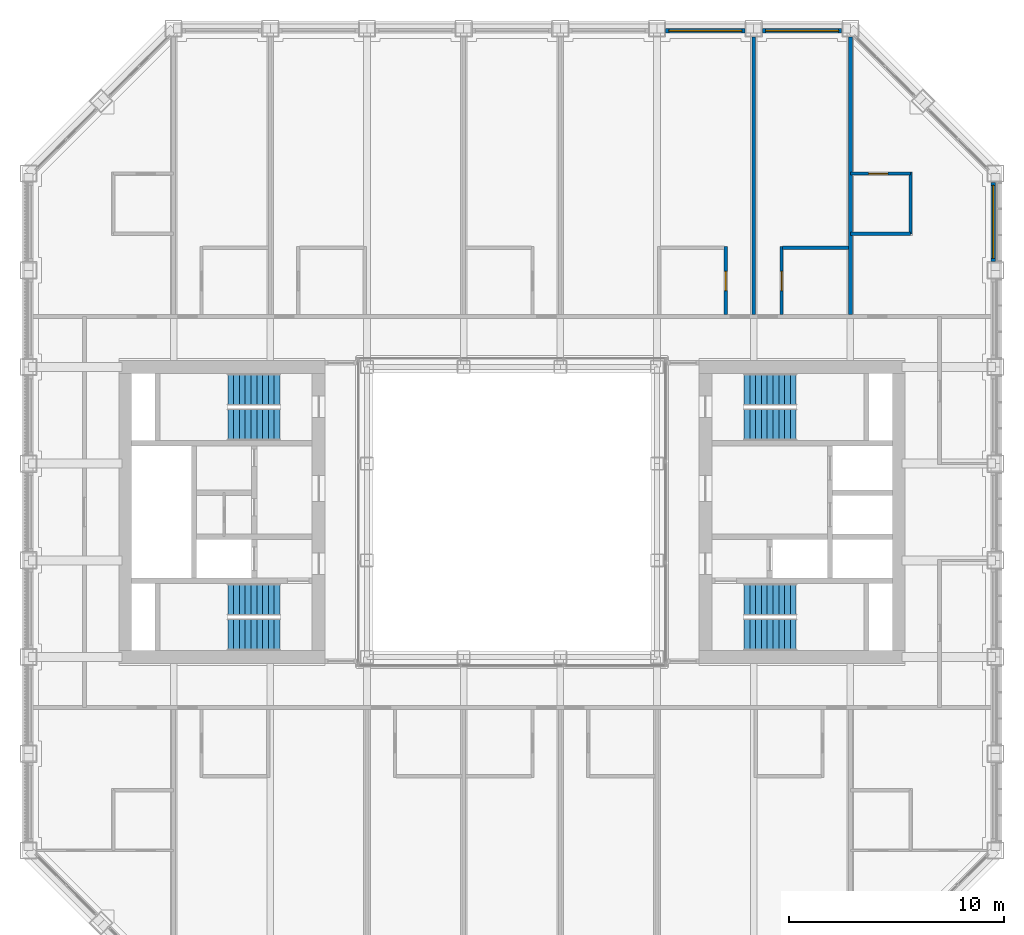
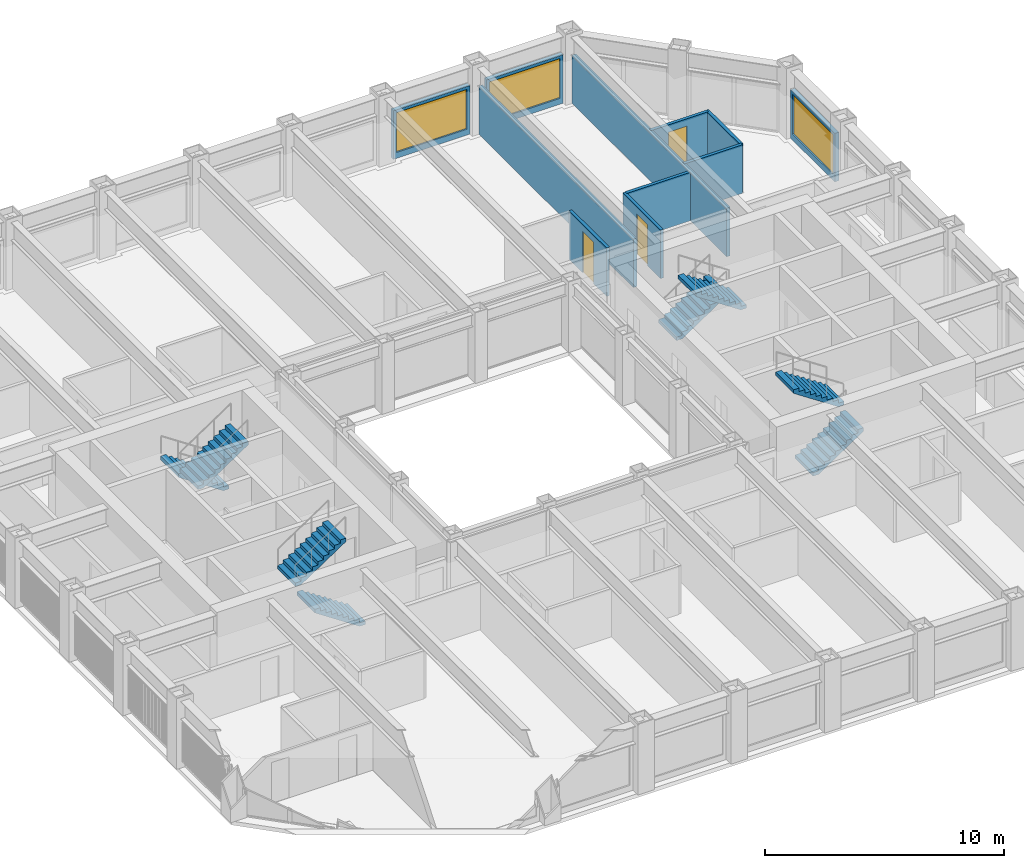
# One storey, part 14 of 17: 11 walls, 8 stair flights, 3 doors, 3 windows, 6 openings, 4 elements without a shape of their own.
"""IFC4 building model written with IfcOpenShell, lengths in metres."""

import ifcopenshell
import ifcopenshell.guid

model = None  # the IFC model being written
_history = None  # IfcOwnerHistory: only IFC2X3 demands one
_inside = {}  # id of a spatial element -> (the spatial element, [elements in it])
_under = {}  # id of a project, library or spatial element -> (it, [spatial elements below it])
_declared = {}  # id of a project -> (the project, [libraries it declares])
_typed = {}  # id of a type object -> (the type object, [elements of that type])
_made_of = {}  # id of a material, layer set ... -> (it, [elements and type objects made of it])


def new_model(schema):
    """Start an empty IFC model of exactly this schema.

    Asked for "IFC4X3", IfcOpenShell would pick the latest addendum, in which some entities
    have other attributes; the version numbers below select the first issue.
    IFC2X3 requires an IfcOwnerHistory on every rooted entity: one is made here for all.
    """
    global model, _history
    if schema == "IFC4X3":
        model = ifcopenshell.file(schema_version=(4, 3, 0, 0))
    else:
        model = ifcopenshell.file(schema=schema)
    _inside.clear()
    _under.clear()
    _declared.clear()
    _typed.clear()
    _made_of.clear()
    _history = None
    if model.schema == "IFC2X3":
        org = make("IfcOrganization", Name="unknown")
        user = make(
            "IfcPersonAndOrganization",
            ThePerson=make("IfcPerson", FamilyName="unknown"),
            TheOrganization=org,
        )
        app = make(
            "IfcApplication",
            ApplicationDeveloper=org,
            Version="unknown",
            ApplicationFullName="unknown",
            ApplicationIdentifier="unknown",
        )
        _history = make(
            "IfcOwnerHistory",
            OwningUser=user,
            OwningApplication=app,
            ChangeAction="ADDED",
            CreationDate=0,
        )
    return model


def make(cls, **values):
    """One entity of the class cls with the attributes given. An attribute that is None is left unset."""
    return model.create_entity(
        cls, **{name: value for name, value in values.items() if value is not None}
    )


def rooted(cls, **values):
    """An entity with a GlobalId (a new one), such as an element, a storey or a relation."""
    return make(cls, GlobalId=ifcopenshell.guid.new(), OwnerHistory=_history, **values)


def si_unit(unit_type, name, prefix=None):
    """IfcSIUnit, for example si_unit("LENGTHUNIT", "METRE", prefix="MILLI")."""
    return make("IfcSIUnit", UnitType=unit_type, Prefix=prefix, Name=name)


def assignment(units):
    """IfcUnitAssignment: the units of a project."""
    return None if units is None else make("IfcUnitAssignment", Units=units)


def point(xyz):
    """IfcCartesianPoint."""
    return None if xyz is None else make("IfcCartesianPoint", Coordinates=xyz)


def direction(xyz):
    """IfcDirection."""
    return None if xyz is None else make("IfcDirection", DirectionRatios=xyz)


def frame(location, z_axis=None, x_axis=None):
    """IfcAxis2Placement3D, a coordinate frame: its origin and axes. An axis left out is left unset."""
    return make(
        "IfcAxis2Placement3D",
        Location=point(location),
        Axis=direction(z_axis),
        RefDirection=direction(x_axis),
    )


def frame_2d(location, x_axis=None):
    """IfcAxis2Placement2D, a coordinate frame in the plane: its origin and x axis."""
    return make(
        "IfcAxis2Placement2D", Location=point(location), RefDirection=direction(x_axis)
    )


def origin():
    """The frame at (0, 0, 0) with its axes left unset."""
    return frame((0.0, 0.0, 0.0))


def place(relative_to, where):
    """IfcLocalPlacement: puts the frame where relative to a parent placement (None: the world)."""
    return make(
        "IfcLocalPlacement", PlacementRelTo=relative_to, RelativePlacement=where
    )


def context(
    kind, dimensions, precision=None, world=None, true_north=None, identifier=None
):
    """IfcGeometricRepresentationContext, for example the 3D "Model" context."""
    return make(
        "IfcGeometricRepresentationContext",
        ContextIdentifier=identifier,
        ContextType=kind,
        CoordinateSpaceDimension=dimensions,
        Precision=precision,
        WorldCoordinateSystem=world,
        TrueNorth=true_north,
    )


def subcontext(parent, identifier, kind, view, scale=None):
    """IfcGeometricRepresentationSubContext, for example "Body" below "Model"."""
    return make(
        "IfcGeometricRepresentationSubContext",
        ContextIdentifier=identifier,
        ContextType=kind,
        ParentContext=parent,
        TargetScale=scale,
        TargetView=view,
    )


def project(units=None, contexts=None):
    """IfcProject with its units and contexts."""
    return rooted(
        "IfcProject",
        Name="project",
        RepresentationContexts=contexts,
        UnitsInContext=assignment(units),
    )


def spatial(cls, under=None, at=None, **own):
    """A site, building, storey or space (cls), placed at a placement, below another one or the project."""
    s = rooted(cls, ObjectPlacement=at, **own)
    if under is not None:
        _under.setdefault(under.id(), (under, []))[1].append(s)
    return s


def polyline(points):
    """IfcPolyline through the points."""
    return make("IfcPolyline", Points=[point(p) for p in points])


def profile(cls, at=None, kind="AREA", **sizes):
    """A parametric profile (cls). Its sizes go by their IFC names, for example OverallWidth=200.0."""
    return make(cls, ProfileType=kind, Position=at, **sizes)


def rectangle(**sizes):
    """IfcRectangleProfileDef."""
    return profile("IfcRectangleProfileDef", **sizes)


def outline(outer, holes=None, kind="AREA"):
    """IfcArbitraryClosedProfileDef: a profile drawn as a closed curve; with holes, ...WithVoids."""
    if holes is None:
        return make("IfcArbitraryClosedProfileDef", ProfileType=kind, OuterCurve=outer)
    return make(
        "IfcArbitraryProfileDefWithVoids",
        ProfileType=kind,
        OuterCurve=outer,
        InnerCurves=holes,
    )


def extrude(swept, where, along, depth):
    """IfcExtrudedAreaSolid: the profile swept, set in the frame where, extruded along a direction by depth."""
    return make(
        "IfcExtrudedAreaSolid",
        SweptArea=swept,
        Position=where,
        ExtrudedDirection=direction(along),
        Depth=depth,
    )


def shape(context_of_items, identifier, shape_type, items):
    """IfcShapeRepresentation: the items that make up one representation, for example the "Body"."""
    return make(
        "IfcShapeRepresentation",
        ContextOfItems=context_of_items,
        RepresentationIdentifier=identifier,
        RepresentationType=shape_type,
        Items=items,
    )


def material(Name=None, Category=None):
    """IfcMaterial."""
    return make("IfcMaterial", Name=Name, Category=Category)


def layer(
    of_material, thickness, ventilated=None, Name=None, Category=None, Priority=None
):
    """IfcMaterialLayer: one layer of a wall or slab, of a material (None: an air gap)."""
    return make(
        "IfcMaterialLayer",
        Material=of_material,
        LayerThickness=thickness,
        IsVentilated=ventilated,
        Name=Name,
        Category=Category,
        Priority=Priority,
    )


def layer_set(layers, Name=None):
    """IfcMaterialLayerSet."""
    return make("IfcMaterialLayerSet", MaterialLayers=layers, LayerSetName=Name)


def made_of(thing, what):
    """Note that an element or type object is made of a material, layer set ...; save() writes the relation."""
    if what is not None:
        _made_of.setdefault(what.id(), (what, []))[1].append(thing)
    return thing


def type_object(cls, material=None, **own):
    """A type object (cls), such as IfcWallType, which elements share."""
    return made_of(rooted(cls, **own), material)


def element(
    cls,
    number,
    at=None,
    inside=None,
    cuts=None,
    type_object=None,
    material=None,
    context=None,
    identifier="Body",
    shape_type=None,
    held_by="IfcProductDefinitionShape",
    body=None,
    shapes=None,
    **own,
):
    """One element of the class cls, such as IfcWall. Its Tag is "e" and its number.

    at: its placement. inside: the storey or other place that contains it. cuts: it is an
    opening in that element (IfcRelVoidsElement). A single representation is given by context,
    identifier, shape_type and body (its items); several are given by shapes. held_by: the class
    of the entity that holds the representations. save() writes the other relations.
    """
    e = rooted(cls, Tag="e%d" % number, ObjectPlacement=at, **own)
    if body is not None:
        shapes = [shape(context, identifier, shape_type, body)]
    if shapes is not None:
        e.Representation = make(held_by, Representations=shapes)
    if inside is not None:
        _inside.setdefault(inside.id(), (inside, []))[1].append(e)
    if cuts is not None:
        rooted(
            "IfcRelVoidsElement", RelatingBuildingElement=cuts, RelatedOpeningElement=e
        )
    if type_object is not None:
        _typed.setdefault(type_object.id(), (type_object, []))[1].append(e)
    return made_of(e, material)


def fill(opening, filler):
    """IfcRelFillsElement: the door or window that sits in an opening."""
    return rooted(
        "IfcRelFillsElement",
        RelatingOpeningElement=opening,
        RelatedBuildingElement=filler,
    )


def aggregate(whole, parts):
    """IfcRelAggregates: a whole, such as a stair, and the parts it consists of."""
    return rooted("IfcRelAggregates", RelatingObject=whole, RelatedObjects=parts)


def save(model, path):
    """Write the relations noted so far, then the file.

    IfcRelAggregates (storeys below a building ...), IfcRelContainedInSpatialStructure (elements
    in a storey), IfcRelDefinesByType, IfcRelAssociatesMaterial and IfcRelDeclares: one each for
    every whole, place, type object, material and project.
    """
    for whole, parts in _under.values():
        aggregate(whole, parts)
    for where, things in _inside.values():
        rooted(
            "IfcRelContainedInSpatialStructure",
            RelatedElements=things,
            RelatingStructure=where,
        )
    for kind, things in _typed.values():
        rooted("IfcRelDefinesByType", RelatedObjects=things, RelatingType=kind)
    for what, things in _made_of.values():
        rooted("IfcRelAssociatesMaterial", RelatedObjects=things, RelatingMaterial=what)
    for by, libraries in _declared.values():
        rooted("IfcRelDeclares", RelatingContext=by, RelatedDefinitions=libraries)
    model.write(path)


model = new_model("IFC4")

# Units and contexts
model_context = context("Model", 3, precision=1e-05, world=origin(), true_north=direction((0.0, 1.0)))
body_context = subcontext(model_context, "Body", "Model", "MODEL_VIEW")
ifc_project = project(units=[si_unit("LENGTHUNIT", "METRE"), si_unit("AREAUNIT", "SQUARE_METRE"), si_unit("VOLUMEUNIT", "CUBIC_METRE"), si_unit("PLANEANGLEUNIT", "RADIAN"), si_unit("MASSUNIT", "GRAM", prefix="KILO")], contexts=[model_context])

# Site, building, storey
site_placement = place(None, origin())
site = spatial("IfcSite", under=ifc_project, at=site_placement, CompositionType="ELEMENT")
building_placement = place(site_placement, origin())
building = spatial("IfcBuilding", under=site, at=building_placement, Name="Msasa Ring Tower", CompositionType="ELEMENT")
storey_placement = place(building_placement, frame((0.0, 0.0, 158.0)))
storey = spatial("IfcBuildingStorey", under=building, at=storey_placement, Name="L41", CompositionType="ELEMENT", Elevation=158.0)

# Wall, opening, window
ifc_material_1 = material(Name="Terracotta rainscreen on blockwork", Category="masonry")
ifc_layer_1 = layer(ifc_material_1, 0.199951171875)
ifc_layer_set_1 = layer_set([ifc_layer_1], Name="FW1 TERRACOTTA-LINED INFILL BAY WALL 200")
wall_type_1 = type_object("IfcWallType", Name="FW1 TERRACOTTA-LINED INFILL BAY WALL 200", PredefinedType="SOLIDWALL", material=ifc_layer_set_1)
wall_1_placement = place(storey_placement, frame((22.39990234375, 11.655029296875, 0.0), z_axis=(0.0, 0.0, 1.0), x_axis=(0.0, 1.0, 0.0)))
wall_1 = element("IfcWall", 1, at=wall_1_placement, inside=storey, type_object=wall_type_1, Name="Infill bay wall E L41 15", PredefinedType="SOLIDWALL", context=body_context, shape_type="SweptSolid", body=[
    extrude(rectangle(XDim=3.68994140625, YDim=0.199951171875, at=frame_2d((1.844970703125, 0.0))), origin(), (0.0, 0.0, 1.0), 2.47900390625),
])
opening_1_placement = place(wall_1_placement, frame((0.14501953125, 0.0, 0.300048828125)))
opening_1 = element("IfcOpeningElement", 2, at=opening_1_placement, cuts=wall_1, Name="Opening WN2", PredefinedType="OPENING", context=body_context, shape_type="SweptSolid", body=[
    extrude(rectangle(XDim=3.39990234375, YDim=2.029052734375, at=frame_2d((1.699951171875, 1.0146484375))), frame((0.0, 0.10986328125, 0.0), z_axis=(0.0, -1.0, 0.0), x_axis=(1.0, 0.0, 0.0)), (0.0, 0.0, 1.0), 0.219970703125),
])
ifc_material_2 = material(Name="Aluminium frame with clear glass", Category="aluminium")
window_type = type_object("IfcWindowType", Name="WN2 GUEST ROOM WINDOW 3400x2029", PartitioningType="SINGLE_PANEL", PredefinedType="WINDOW", material=ifc_material_2)
window_1_placement = place(opening_1_placement, origin())
window_1 = element("IfcWindow", 3, at=window_1_placement, inside=storey, type_object=window_type, Name="Window E L41 15", OverallHeight=2.029052734375, OverallWidth=3.39990234375, PartitioningType="SINGLE_PANEL", PredefinedType="WINDOW", context=body_context, shape_type="SweptSolid", body=[
    extrude(rectangle(XDim=3.39990234375, YDim=2.029052734375, at=frame_2d((1.699951171875, 1.0146484375))), frame((0.0, 0.030029296875, 0.0), z_axis=(0.0, -1.0, 0.0), x_axis=(1.0, 0.0, 0.0)), (0.0, 0.0, 1.0), 0.06005859375),
])
fill(opening_1, window_1)

wall_2_placement = place(storey_placement, frame((7.155029296875, 22.39990234375, 0.0), z_axis=(0.0, 0.0, 1.0), x_axis=(1.0, 0.0, 0.0)))
wall_2 = element("IfcWall", 4, at=wall_2_placement, inside=storey, type_object=wall_type_1, Name="Infill bay wall N L41 23", PredefinedType="SOLIDWALL", context=body_context, shape_type="SweptSolid", body=[
    extrude(rectangle(XDim=3.68994140625, YDim=0.199951171875, at=frame_2d((1.844970703125, 0.0))), origin(), (0.0, 0.0, 1.0), 2.47900390625),
])
opening_2_placement = place(wall_2_placement, frame((0.14501953125, 0.0, 0.300048828125)))
opening_2 = element("IfcOpeningElement", 5, at=opening_2_placement, cuts=wall_2, Name="Opening WN2", PredefinedType="OPENING", context=body_context, shape_type="SweptSolid", body=[
    extrude(rectangle(XDim=3.39990234375, YDim=2.029052734375, at=frame_2d((1.699951171875, 1.0146484375))), frame((0.0, 0.10986328125, 0.0), z_axis=(0.0, -1.0, 0.0), x_axis=(1.0, 0.0, 0.0)), (0.0, 0.0, 1.0), 0.219970703125),
])
window_2_placement = place(opening_2_placement, origin())
window_2 = element("IfcWindow", 6, at=window_2_placement, inside=storey, type_object=window_type, Name="Window N L41 23", OverallHeight=2.029052734375, OverallWidth=3.39990234375, PartitioningType="SINGLE_PANEL", PredefinedType="WINDOW", context=body_context, shape_type="SweptSolid", body=[
    extrude(rectangle(XDim=3.39990234375, YDim=2.029052734375, at=frame_2d((1.699951171875, 1.0146484375))), frame((0.0, 0.030029296875, 0.0), z_axis=(0.0, -1.0, 0.0), x_axis=(1.0, 0.0, 0.0)), (0.0, 0.0, 1.0), 0.06005859375),
])
fill(opening_2, window_2)

wall_3_placement = place(storey_placement, frame((11.655029296875, 22.39990234375, 0.0), z_axis=(0.0, 0.0, 1.0), x_axis=(1.0, 0.0, 0.0)))
wall_3 = element("IfcWall", 7, at=wall_3_placement, inside=storey, type_object=wall_type_1, Name="Infill bay wall N L41 24", PredefinedType="SOLIDWALL", context=body_context, shape_type="SweptSolid", body=[
    extrude(rectangle(XDim=3.68994140625, YDim=0.199951171875, at=frame_2d((1.844970703125, 0.0))), origin(), (0.0, 0.0, 1.0), 2.47900390625),
])
opening_3_placement = place(wall_3_placement, frame((0.14501953125, 0.0, 0.300048828125)))
opening_3 = element("IfcOpeningElement", 8, at=opening_3_placement, cuts=wall_3, Name="Opening WN2", PredefinedType="OPENING", context=body_context, shape_type="SweptSolid", body=[
    extrude(rectangle(XDim=3.39990234375, YDim=2.029052734375, at=frame_2d((1.699951171875, 1.0146484375))), frame((0.0, 0.10986328125, 0.0), z_axis=(0.0, -1.0, 0.0), x_axis=(1.0, 0.0, 0.0)), (0.0, 0.0, 1.0), 0.219970703125),
])
window_3_placement = place(opening_3_placement, origin())
window_3 = element("IfcWindow", 9, at=window_3_placement, inside=storey, type_object=window_type, Name="Window N L41 24", OverallHeight=2.029052734375, OverallWidth=3.39990234375, PartitioningType="SINGLE_PANEL", PredefinedType="WINDOW", context=body_context, shape_type="SweptSolid", body=[
    extrude(rectangle(XDim=3.39990234375, YDim=2.029052734375, at=frame_2d((1.699951171875, 1.0146484375))), frame((0.0, 0.030029296875, 0.0), z_axis=(0.0, -1.0, 0.0), x_axis=(1.0, 0.0, 0.0)), (0.0, 0.0, 1.0), 0.06005859375),
])
fill(opening_3, window_3)

# Wall, opening, door
ifc_material_3 = material(Name="Moisture-resistant board on steel studs with a concealed cistern and pipe void, tiled", Category="steel")
ifc_layer_2 = layer(ifc_material_3, 0.14990234375)
ifc_layer_set_2 = layer_set([ifc_layer_2], Name="PT4 BATHROOM WET WALL 150")
wall_type_2 = type_object("IfcWallType", Name="PT4 BATHROOM WET WALL 150", PredefinedType="PARTITIONING", material=ifc_layer_set_2)
wall_4_placement = place(storey_placement, frame((9.949951171875, 9.199951171875, 0.0), z_axis=(0.0, 0.0, 1.0), x_axis=(0.0, 1.0, 0.0)))
wall_4 = element("IfcWall", 10, at=wall_4_placement, inside=storey, type_object=wall_type_2, Name="Partition L41-GN03BX", PredefinedType="PARTITIONING", context=body_context, shape_type="SweptSolid", body=[
    extrude(rectangle(XDim=3.150146484375, YDim=0.14990234375, at=frame_2d((1.5751953125, 0.0))), origin(), (0.0, 0.0, 1.0), 2.473388671875),
])
opening_4_placement = place(wall_4_placement, frame((1.10009765625, 0.0, 0.0)))
opening_4 = element("IfcOpeningElement", 11, at=opening_4_placement, cuts=wall_4, Name="Opening HD-006", PredefinedType="OPENING", context=body_context, shape_type="SweptSolid", body=[
    extrude(rectangle(XDim=0.89990234375, YDim=2.10009765625, at=frame_2d((0.449951171875, 1.050048828125))), frame((0.0, 0.0849609375, 0.0), z_axis=(0.0, -1.0, 0.0), x_axis=(1.0, 0.0, 0.0)), (0.0, 0.0, 1.0), 0.169921875),
])
ifc_material_4 = material(Name="Timber door leaf in a steel frame", Category="steel")
door_type = type_object("IfcDoorType", Name="D3 BATHROOM DOOR 900x2100", OperationType="SINGLE_SWING_LEFT", PredefinedType="DOOR", material=ifc_material_4)
door_1_placement = place(opening_4_placement, origin())
door_1 = element("IfcDoor", 12, at=door_1_placement, inside=storey, type_object=door_type, Name="Door L41-GN03B", OperationType="SINGLE_SWING_LEFT", OverallHeight=2.10009765625, OverallWidth=0.89990234375, PredefinedType="DOOR", context=body_context, shape_type="SweptSolid", body=[
    extrude(rectangle(XDim=0.89990234375, YDim=2.10009765625, at=frame_2d((0.449951171875, 1.050048828125))), frame((0.0, 0.02490234375, 0.0), z_axis=(0.0, -1.0, 0.0), x_axis=(1.0, 0.0, 0.0)), (0.0, 0.0, 1.0), 0.050048828125),
])
fill(opening_4, door_1)

wall_5_placement = place(storey_placement, frame((12.550048828125, 9.199951171875, 0.0), z_axis=(0.0, 0.0, 1.0), x_axis=(0.0, 1.0, 0.0)))
wall_5 = element("IfcWall", 13, at=wall_5_placement, inside=storey, type_object=wall_type_2, Name="Partition L41-GN04BX", PredefinedType="PARTITIONING", context=body_context, shape_type="SweptSolid", body=[
    extrude(rectangle(XDim=3.150146484375, YDim=0.14990234375, at=frame_2d((1.5751953125, 0.0))), origin(), (0.0, 0.0, 1.0), 2.473388671875),
])
opening_5_placement = place(wall_5_placement, frame((1.10009765625, 0.0, 0.0)))
opening_5 = element("IfcOpeningElement", 14, at=opening_5_placement, cuts=wall_5, Name="Opening HD-007", PredefinedType="OPENING", context=body_context, shape_type="SweptSolid", body=[
    extrude(rectangle(XDim=0.89990234375, YDim=2.10009765625, at=frame_2d((0.449951171875, 1.050048828125))), frame((0.0, 0.0849609375, 0.0), z_axis=(0.0, -1.0, 0.0), x_axis=(1.0, 0.0, 0.0)), (0.0, 0.0, 1.0), 0.169921875),
])
door_2_placement = place(opening_5_placement, origin())
door_2 = element("IfcDoor", 15, at=door_2_placement, inside=storey, type_object=door_type, Name="Door L41-GN04B", OperationType="SINGLE_SWING_LEFT", OverallHeight=2.10009765625, OverallWidth=0.89990234375, PredefinedType="DOOR", context=body_context, shape_type="SweptSolid", body=[
    extrude(rectangle(XDim=0.89990234375, YDim=2.10009765625, at=frame_2d((0.449951171875, 1.050048828125))), frame((0.0, 0.02490234375, 0.0), z_axis=(0.0, -1.0, 0.0), x_axis=(1.0, 0.0, 0.0)), (0.0, 0.0, 1.0), 0.050048828125),
])
fill(opening_5, door_2)

# Walls
wall_6_placement = place(storey_placement, frame((12.60009765625, 12.300048828125, 0.0), z_axis=(0.0, 0.0, 1.0), x_axis=(1.0, 0.0, 0.0)))
element("IfcWall", 16, at=wall_6_placement, inside=storey, type_object=wall_type_2, Name="Partition L41-GN04BY", PredefinedType="PARTITIONING", context=body_context, shape_type="SweptSolid", body=[
    extrude(rectangle(XDim=3.0625, YDim=0.14990234375, at=frame_2d((1.53125, 0.0))), origin(), (0.0, 0.0, 1.0), 2.473388671875),
])
wall_7_placement = place(storey_placement, frame((18.550048828125, 12.949951171875, 0.0), z_axis=(0.0, 0.0, 1.0), x_axis=(0.0, 1.0, 0.0)))
element("IfcWall", 17, at=wall_7_placement, inside=storey, type_object=wall_type_2, Name="Partition L41-CSNEBX", PredefinedType="PARTITIONING", context=body_context, shape_type="SweptSolid", body=[
    extrude(rectangle(XDim=2.875, YDim=0.14990234375, at=frame_2d((1.4375, 0.0))), origin(), (0.0, 0.0, 1.0), 2.473388671875),
])
wall_8_placement = place(storey_placement, frame((15.75, 12.949951171875, 0.0), z_axis=(0.0, 0.0, 1.0), x_axis=(1.0, 0.0, 0.0)))
element("IfcWall", 18, at=wall_8_placement, inside=storey, type_object=wall_type_2, Name="Partition L41-CSNEBY", PredefinedType="PARTITIONING", context=body_context, shape_type="SweptSolid", body=[
    extrude(rectangle(XDim=2.800048828125, YDim=0.14990234375, at=frame_2d((1.39990234375, 0.0))), origin(), (0.0, 0.0, 1.0), 2.473388671875),
])

# Wall, opening, door
wall_9_placement = place(storey_placement, frame((15.75, 15.75, 0.0), z_axis=(0.0, 0.0, 1.0), x_axis=(1.0, 0.0, 0.0)))
wall_9 = element("IfcWall", 19, at=wall_9_placement, inside=storey, type_object=wall_type_2, Name="Partition L41-CSNEBZ", PredefinedType="PARTITIONING", context=body_context, shape_type="SweptSolid", body=[
    extrude(rectangle(XDim=2.800048828125, YDim=0.14990234375, at=frame_2d((1.39990234375, 0.0))), origin(), (0.0, 0.0, 1.0), 2.473388671875),
])
opening_6_placement = place(wall_9_placement, frame((0.85009765625, 0.0, 0.0)))
opening_6 = element("IfcOpeningElement", 20, at=opening_6_placement, cuts=wall_9, Name="Opening HD-002", PredefinedType="OPENING", context=body_context, shape_type="SweptSolid", body=[
    extrude(rectangle(XDim=0.89990234375, YDim=2.10009765625, at=frame_2d((0.449951171875, 1.050048828125))), frame((0.0, 0.0849609375, 0.0), z_axis=(0.0, -1.0, 0.0), x_axis=(1.0, 0.0, 0.0)), (0.0, 0.0, 1.0), 0.169921875),
])
door_3_placement = place(opening_6_placement, origin())
door_3 = element("IfcDoor", 21, at=door_3_placement, inside=storey, type_object=door_type, Name="Door L41-CSNEB1", OperationType="SINGLE_SWING_LEFT", OverallHeight=2.10009765625, OverallWidth=0.89990234375, PredefinedType="DOOR", context=body_context, shape_type="SweptSolid", body=[
    extrude(rectangle(XDim=0.89990234375, YDim=2.10009765625, at=frame_2d((0.449951171875, 1.050048828125))), frame((0.0, 0.02490234375, 0.0), z_axis=(0.0, -1.0, 0.0), x_axis=(1.0, 0.0, 0.0)), (0.0, 0.0, 1.0), 0.050048828125),
])
fill(opening_6, door_3)

# Walls
ifc_material_5 = material(Name="Twin steel studs, two layers of acoustic board each face, mineral wool", Category="steel")
ifc_layer_3 = layer(ifc_material_5, 0.175048828125)
ifc_layer_set_3 = layer_set([ifc_layer_3], Name="PT5 GUEST ROOM SEPARATING WALL 175")
wall_type_3 = type_object("IfcWallType", Name="PT5 GUEST ROOM SEPARATING WALL 175", PredefinedType="PARTITIONING", material=ifc_layer_set_3)
for number, where, z_axis, x_axis, name in (
    (22, (11.25, 9.199951171875, 0.0), (0.0, 0.0, 1.0), (0.0, 1.0, 0.0), "Partition L41-PWN+11.25"),
    (23, (15.75, 9.199951171875, 0.0), (0.0, 0.0, 1.0), (0.0, 1.0, 0.0), "Partition L41-PWN+15.75"),
):
    element("IfcWall", number, at=place(storey_placement, frame(where, z_axis=z_axis, x_axis=x_axis)), inside=storey, type_object=wall_type_3, Name=name, PredefinedType="PARTITIONING", context=body_context, shape_type="SweptSolid", body=[
        extrude(rectangle(XDim=12.900146484375, YDim=0.175048828125, at=frame_2d((6.4501953125, 0.0))), origin(), (0.0, 0.0, 1.0), 2.473388671875),
    ])

# Stair, stair flights
ifc_material_6 = material(Name="Concrete C40/50", Category="concrete")
stair_type = type_object("IfcStairType", Name="STC CORE STAIR 20 RISERS 180", PredefinedType="HALF_TURN_STAIR", material=ifc_material_6)
stair_1_placement = place(storey_placement, origin())
stair_1 = element("IfcStair", 24, at=stair_1_placement, inside=storey, type_object=stair_type, Name="Core stair SEA L41", PredefinedType="HALF_TURN_STAIR")
ifc_material_7 = material(Name="Concrete C40/50", Category="concrete")
stair_flight_type = type_object("IfcStairFlightType", Name="ST14 CORE STAIR FLIGHT 1500 10 RISERS 180", PredefinedType="STRAIGHT", material=ifc_material_7)
stair_flight_1_placement = place(storey_placement, frame((10.800048828125, -5.699951171875, 0.0), z_axis=(0.0, 0.0, 1.0), x_axis=(1.0, 0.0, 0.0)))
stair_flight_1 = element("IfcStairFlight", 25, at=stair_flight_1_placement, type_object=stair_flight_type, Name="SEA flight 1", NumberOfRisers=10, NumberOfTreads=9, PredefinedType="STRAIGHT", RiserHeight=0.18, TreadLength=0.27, context=body_context, shape_type="SweptSolid", body=[
    extrude(outline(polyline([(0.0, 0.0), (0.0, 0.179931640625), (0.27001953125, 0.179931640625), (0.27001953125, 0.360107421875), (0.5400390625, 0.360107421875), (0.5400390625, 0.5400390625), (0.81005859375, 0.5400390625), (0.81005859375, 0.719970703125), (1.080078125, 0.719970703125), (1.080078125, 0.89990234375), (1.35009765625, 0.89990234375), (1.35009765625, 1.080078125), (1.6201171875, 1.080078125), (1.6201171875, 1.260009765625), (1.889892578125, 1.260009765625), (1.889892578125, 1.43994140625), (2.159912109375, 1.43994140625), (2.159912109375, 1.6201171875), (2.429931640625, 1.6201171875), (2.429931640625, 1.800048828125), (2.429931640625, 1.43994140625), (0.270263671875, 0.0), (0.0, 0.0)])), frame((0.0, 0.75, 0.0), z_axis=(0.0, -1.0, 0.0), x_axis=(1.0, 0.0, 0.0)), (0.0, 0.0, 1.0), 1.5),
])
stair_flight_2_placement = place(storey_placement, frame((13.22998046875, -4.074951171875, 1.800048828125), z_axis=(0.0, 0.0, 1.0), x_axis=(-1.0, 0.0, 0.0)))
stair_flight_2 = element("IfcStairFlight", 26, at=stair_flight_2_placement, type_object=stair_flight_type, Name="SEA flight 2", NumberOfRisers=10, NumberOfTreads=9, PredefinedType="STRAIGHT", RiserHeight=0.18, TreadLength=0.27, context=body_context, shape_type="SweptSolid", body=[
    extrude(outline(polyline([(0.0, 0.0), (0.0, 0.179931640625), (0.27001953125, 0.179931640625), (0.27001953125, 0.360107421875), (0.5400390625, 0.360107421875), (0.5400390625, 0.5400390625), (0.81005859375, 0.5400390625), (0.81005859375, 0.719970703125), (1.080078125, 0.719970703125), (1.080078125, 0.89990234375), (1.35009765625, 0.89990234375), (1.35009765625, 1.080078125), (1.6201171875, 1.080078125), (1.6201171875, 1.260009765625), (1.889892578125, 1.260009765625), (1.889892578125, 1.43994140625), (2.159912109375, 1.43994140625), (2.159912109375, 1.6201171875), (2.429931640625, 1.6201171875), (2.429931640625, 1.800048828125), (2.429931640625, 1.43994140625), (0.270263671875, 0.0), (0.0, 0.0)])), frame((0.0, 0.75, 0.0), z_axis=(0.0, -1.0, 0.0), x_axis=(1.0, 0.0, 0.0)), (0.0, 0.0, 1.0), 1.5),
])
aggregate(stair_1, [stair_flight_1, stair_flight_2])

stair_2_placement = place(storey_placement, origin())
stair_2 = element("IfcStair", 27, at=stair_2_placement, inside=storey, type_object=stair_type, Name="Core stair SEB L41", PredefinedType="HALF_TURN_STAIR")
stair_flight_3_placement = place(storey_placement, frame((10.800048828125, 5.699951171875, 0.0), z_axis=(0.0, 0.0, 1.0), x_axis=(1.0, 0.0, 0.0)))
stair_flight_3 = element("IfcStairFlight", 28, at=stair_flight_3_placement, type_object=stair_flight_type, Name="SEB flight 1", NumberOfRisers=10, NumberOfTreads=9, PredefinedType="STRAIGHT", RiserHeight=0.18, TreadLength=0.27, context=body_context, shape_type="SweptSolid", body=[
    extrude(outline(polyline([(0.0, 0.0), (0.0, 0.179931640625), (0.27001953125, 0.179931640625), (0.27001953125, 0.360107421875), (0.5400390625, 0.360107421875), (0.5400390625, 0.5400390625), (0.81005859375, 0.5400390625), (0.81005859375, 0.719970703125), (1.080078125, 0.719970703125), (1.080078125, 0.89990234375), (1.35009765625, 0.89990234375), (1.35009765625, 1.080078125), (1.6201171875, 1.080078125), (1.6201171875, 1.260009765625), (1.889892578125, 1.260009765625), (1.889892578125, 1.43994140625), (2.159912109375, 1.43994140625), (2.159912109375, 1.6201171875), (2.429931640625, 1.6201171875), (2.429931640625, 1.800048828125), (2.429931640625, 1.43994140625), (0.270263671875, 0.0), (0.0, 0.0)])), frame((0.0, 0.75, 0.0), z_axis=(0.0, -1.0, 0.0), x_axis=(1.0, 0.0, 0.0)), (0.0, 0.0, 1.0), 1.5),
])
stair_flight_4_placement = place(storey_placement, frame((13.22998046875, 4.074951171875, 1.800048828125), z_axis=(0.0, 0.0, 1.0), x_axis=(-1.0, 0.0, 0.0)))
stair_flight_4 = element("IfcStairFlight", 29, at=stair_flight_4_placement, type_object=stair_flight_type, Name="SEB flight 2", NumberOfRisers=10, NumberOfTreads=9, PredefinedType="STRAIGHT", RiserHeight=0.18, TreadLength=0.27, context=body_context, shape_type="SweptSolid", body=[
    extrude(outline(polyline([(0.0, 0.0), (0.0, 0.179931640625), (0.27001953125, 0.179931640625), (0.27001953125, 0.360107421875), (0.5400390625, 0.360107421875), (0.5400390625, 0.5400390625), (0.81005859375, 0.5400390625), (0.81005859375, 0.719970703125), (1.080078125, 0.719970703125), (1.080078125, 0.89990234375), (1.35009765625, 0.89990234375), (1.35009765625, 1.080078125), (1.6201171875, 1.080078125), (1.6201171875, 1.260009765625), (1.889892578125, 1.260009765625), (1.889892578125, 1.43994140625), (2.159912109375, 1.43994140625), (2.159912109375, 1.6201171875), (2.429931640625, 1.6201171875), (2.429931640625, 1.800048828125), (2.429931640625, 1.43994140625), (0.270263671875, 0.0), (0.0, 0.0)])), frame((0.0, 0.75, 0.0), z_axis=(0.0, -1.0, 0.0), x_axis=(1.0, 0.0, 0.0)), (0.0, 0.0, 1.0), 1.5),
])
aggregate(stair_2, [stair_flight_3, stair_flight_4])

stair_3_placement = place(storey_placement, origin())
stair_3 = element("IfcStair", 30, at=stair_3_placement, inside=storey, type_object=stair_type, Name="Core stair SWA L41", PredefinedType="HALF_TURN_STAIR")
stair_flight_5_placement = place(storey_placement, frame((-10.800048828125, -5.699951171875, 0.0), z_axis=(0.0, 0.0, 1.0), x_axis=(-1.0, 0.0, 0.0)))
stair_flight_5 = element("IfcStairFlight", 31, at=stair_flight_5_placement, type_object=stair_flight_type, Name="SWA flight 1", NumberOfRisers=10, NumberOfTreads=9, PredefinedType="STRAIGHT", RiserHeight=0.18, TreadLength=0.27, context=body_context, shape_type="SweptSolid", body=[
    extrude(outline(polyline([(0.0, 0.0), (0.0, 0.179931640625), (0.27001953125, 0.179931640625), (0.27001953125, 0.360107421875), (0.5400390625, 0.360107421875), (0.5400390625, 0.5400390625), (0.81005859375, 0.5400390625), (0.81005859375, 0.719970703125), (1.080078125, 0.719970703125), (1.080078125, 0.89990234375), (1.35009765625, 0.89990234375), (1.35009765625, 1.080078125), (1.6201171875, 1.080078125), (1.6201171875, 1.260009765625), (1.889892578125, 1.260009765625), (1.889892578125, 1.43994140625), (2.159912109375, 1.43994140625), (2.159912109375, 1.6201171875), (2.429931640625, 1.6201171875), (2.429931640625, 1.800048828125), (2.429931640625, 1.43994140625), (0.270263671875, 0.0), (0.0, 0.0)])), frame((0.0, 0.75, 0.0), z_axis=(0.0, -1.0, 0.0), x_axis=(1.0, 0.0, 0.0)), (0.0, 0.0, 1.0), 1.5),
])
stair_flight_6_placement = place(storey_placement, frame((-13.22998046875, -4.074951171875, 1.800048828125), z_axis=(0.0, 0.0, 1.0), x_axis=(1.0, 0.0, 0.0)))
stair_flight_6 = element("IfcStairFlight", 32, at=stair_flight_6_placement, type_object=stair_flight_type, Name="SWA flight 2", NumberOfRisers=10, NumberOfTreads=9, PredefinedType="STRAIGHT", RiserHeight=0.18, TreadLength=0.27, context=body_context, shape_type="SweptSolid", body=[
    extrude(outline(polyline([(0.0, 0.0), (0.0, 0.179931640625), (0.27001953125, 0.179931640625), (0.27001953125, 0.360107421875), (0.5400390625, 0.360107421875), (0.5400390625, 0.5400390625), (0.81005859375, 0.5400390625), (0.81005859375, 0.719970703125), (1.080078125, 0.719970703125), (1.080078125, 0.89990234375), (1.35009765625, 0.89990234375), (1.35009765625, 1.080078125), (1.6201171875, 1.080078125), (1.6201171875, 1.260009765625), (1.889892578125, 1.260009765625), (1.889892578125, 1.43994140625), (2.159912109375, 1.43994140625), (2.159912109375, 1.6201171875), (2.429931640625, 1.6201171875), (2.429931640625, 1.800048828125), (2.429931640625, 1.43994140625), (0.270263671875, 0.0), (0.0, 0.0)])), frame((0.0, 0.75, 0.0), z_axis=(0.0, -1.0, 0.0), x_axis=(1.0, 0.0, 0.0)), (0.0, 0.0, 1.0), 1.5),
])
aggregate(stair_3, [stair_flight_5, stair_flight_6])

stair_4_placement = place(storey_placement, origin())
stair_4 = element("IfcStair", 33, at=stair_4_placement, inside=storey, type_object=stair_type, Name="Core stair SWB L41", PredefinedType="HALF_TURN_STAIR")
stair_flight_7_placement = place(storey_placement, frame((-10.800048828125, 5.699951171875, 0.0), z_axis=(0.0, 0.0, 1.0), x_axis=(-1.0, 0.0, 0.0)))
stair_flight_7 = element("IfcStairFlight", 34, at=stair_flight_7_placement, type_object=stair_flight_type, Name="SWB flight 1", NumberOfRisers=10, NumberOfTreads=9, PredefinedType="STRAIGHT", RiserHeight=0.18, TreadLength=0.27, context=body_context, shape_type="SweptSolid", body=[
    extrude(outline(polyline([(0.0, 0.0), (0.0, 0.179931640625), (0.27001953125, 0.179931640625), (0.27001953125, 0.360107421875), (0.5400390625, 0.360107421875), (0.5400390625, 0.5400390625), (0.81005859375, 0.5400390625), (0.81005859375, 0.719970703125), (1.080078125, 0.719970703125), (1.080078125, 0.89990234375), (1.35009765625, 0.89990234375), (1.35009765625, 1.080078125), (1.6201171875, 1.080078125), (1.6201171875, 1.260009765625), (1.889892578125, 1.260009765625), (1.889892578125, 1.43994140625), (2.159912109375, 1.43994140625), (2.159912109375, 1.6201171875), (2.429931640625, 1.6201171875), (2.429931640625, 1.800048828125), (2.429931640625, 1.43994140625), (0.270263671875, 0.0), (0.0, 0.0)])), frame((0.0, 0.75, 0.0), z_axis=(0.0, -1.0, 0.0), x_axis=(1.0, 0.0, 0.0)), (0.0, 0.0, 1.0), 1.5),
])
stair_flight_8_placement = place(storey_placement, frame((-13.22998046875, 4.074951171875, 1.800048828125), z_axis=(0.0, 0.0, 1.0), x_axis=(1.0, 0.0, 0.0)))
stair_flight_8 = element("IfcStairFlight", 35, at=stair_flight_8_placement, type_object=stair_flight_type, Name="SWB flight 2", NumberOfRisers=10, NumberOfTreads=9, PredefinedType="STRAIGHT", RiserHeight=0.18, TreadLength=0.27, context=body_context, shape_type="SweptSolid", body=[
    extrude(outline(polyline([(0.0, 0.0), (0.0, 0.179931640625), (0.27001953125, 0.179931640625), (0.27001953125, 0.360107421875), (0.5400390625, 0.360107421875), (0.5400390625, 0.5400390625), (0.81005859375, 0.5400390625), (0.81005859375, 0.719970703125), (1.080078125, 0.719970703125), (1.080078125, 0.89990234375), (1.35009765625, 0.89990234375), (1.35009765625, 1.080078125), (1.6201171875, 1.080078125), (1.6201171875, 1.260009765625), (1.889892578125, 1.260009765625), (1.889892578125, 1.43994140625), (2.159912109375, 1.43994140625), (2.159912109375, 1.6201171875), (2.429931640625, 1.6201171875), (2.429931640625, 1.800048828125), (2.429931640625, 1.43994140625), (0.270263671875, 0.0), (0.0, 0.0)])), frame((0.0, 0.75, 0.0), z_axis=(0.0, -1.0, 0.0), x_axis=(1.0, 0.0, 0.0)), (0.0, 0.0, 1.0), 1.5),
])
aggregate(stair_4, [stair_flight_7, stair_flight_8])

save(model, "model.ifc")
